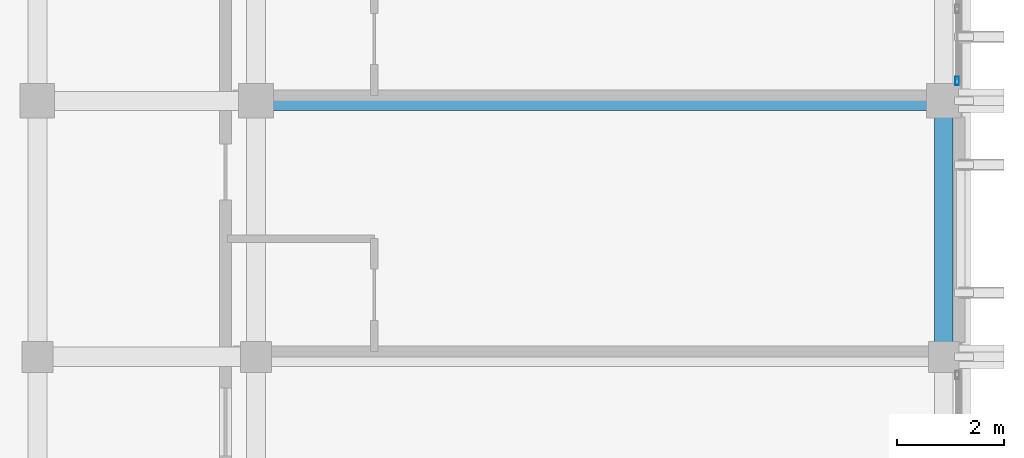
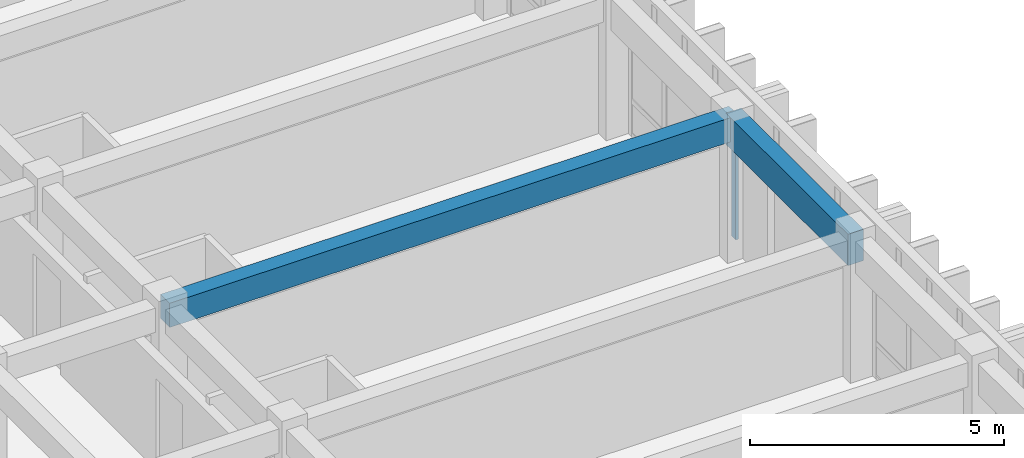
# One storey, part 17 of 49: 2 beams, 1 member, 1 element without a shape of its own.
"""IFC4 building model written with IfcOpenShell, lengths in metres."""

from ifc_helpers import new_model, si_unit, direction, frame, origin, origin_2d, place, context, subcontext, project, spatial, rectangle, hollow_rectangle, extrude, material, layer, layer_set, material_profile, profile_set, type_object, element, aggregate, save


model = new_model("IFC4")

# Units and contexts
model_context = context("Model", 3, precision=1e-05, world=origin(), true_north=direction((0.0, 1.0)))
body_context = subcontext(model_context, "Body", "Model", "MODEL_VIEW")
ifc_project = project(units=[si_unit("LENGTHUNIT", "METRE"), si_unit("AREAUNIT", "SQUARE_METRE"), si_unit("VOLUMEUNIT", "CUBIC_METRE"), si_unit("PLANEANGLEUNIT", "RADIAN"), si_unit("MASSUNIT", "GRAM", prefix="KILO")], contexts=[model_context])

# Site, building, storey
site_placement = place(None, origin())
site = spatial("IfcSite", under=ifc_project, at=site_placement, CompositionType="ELEMENT")
building_placement = place(site_placement, origin())
building = spatial("IfcBuilding", under=site, at=building_placement, Name="Nakhvara Creek Congress Hotel", CompositionType="ELEMENT")
storey_placement = place(building_placement, frame((0.0, 0.0, 39.0)))
storey = spatial("IfcBuildingStorey", under=building, at=storey_placement, Name="L09", CompositionType="ELEMENT", Elevation=39.0)

# Beams
ifc_material_1 = material(Name="Concrete C40/50", Category="concrete")
ifc_material_profile_1 = material_profile(ifc_material_1, rectangle(XDim=0.360107421875, YDim=0.580078125, at=origin_2d()), Name="RC-BM 360x580", Category="LoadBearing")
ifc_profile_set_1 = profile_set([ifc_material_profile_1], Name="Concrete C40/50")
beam_type_1 = type_object("IfcBeamType", Name="BM-RC-360X580", PredefinedType="BEAM", material=ifc_profile_set_1)
beam_1_placement = place(storey_placement, frame((166.449951171875, 86.39990234375, 3.070068359375), z_axis=(1.0, 0.0, 0.0), x_axis=(0.0, 1.0, 0.0)))
element("IfcBeam", 1, at=beam_1_placement, inside=storey, type_object=beam_type_1, Name="Beam B09-L09-2583", PredefinedType="BEAM", context=body_context, shape_type="SweptSolid", body=[
    extrude(rectangle(XDim=0.360107421875, YDim=0.580078125, at=origin_2d()), origin(), (0.0, 0.0, 1.0), 12.900146484375),
])
ifc_material_profile_2 = material_profile(ifc_material_1, rectangle(XDim=0.35009765625, YDim=0.75, at=origin_2d()), Name="RC-SPANDREL 350x750", Category="LoadBearing")
ifc_profile_set_2 = profile_set([ifc_material_profile_2], Name="Concrete C40/50")
beam_type_2 = type_object("IfcBeamType", Name="BM-SPN-350X750", PredefinedType="SPANDREL", material=ifc_profile_set_2)
beam_2_placement = place(storey_placement, frame((179.35009765625, 81.60009765625, 2.985107421875), z_axis=(0.0, 1.0, 0.0), x_axis=(-1.0, 0.0, 0.0)))
element("IfcBeam", 2, at=beam_2_placement, inside=storey, type_object=beam_type_2, Name="Beam SP1-L09-2602", PredefinedType="SPANDREL", context=body_context, shape_type="SweptSolid", body=[
    extrude(rectangle(XDim=0.35009765625, YDim=0.75, at=origin_2d()), origin(), (0.0, 0.0, 1.0), 4.7998046875),
])

# Curtain wall, member
ifc_material_2 = material(Name="Bronze-anodised aluminium AW-6063-T6 and double-silver low-E glass", Category="aluminium")
ifc_layer = layer(ifc_material_2, 0.199951171875)
ifc_layer_set = layer_set([ifc_layer], Name="Bronze-anodised aluminium AW-6063-T6 and double-silver low-E glass")
curtain_wall_type = type_object("IfcCurtainWallType", Name="CW-HTL-UNIT", PredefinedType="USERDEFINED", material=ifc_layer_set)
curtain_wall_placement = place(storey_placement, origin())
curtain_wall = element("IfcCurtainWall", 3, at=curtain_wall_placement, inside=storey, type_object=curtain_wall_type, Name="Curtain Wall CW303", ObjectType="UNITISED", PredefinedType="USERDEFINED")
ifc_material_3 = material(Name="Bronze-anodised aluminium AW-6063-T6", Category="aluminium")
ifc_material_profile_3 = material_profile(ifc_material_3, hollow_rectangle(XDim=0.06494140625, YDim=0.159912109375, WallThickness=0.00390625, at=origin_2d()), Name="ALU-MULL 65x160x4", Category="LoadBearing")
ifc_profile_set_3 = profile_set([ifc_material_profile_3], Name="Bronze-anodised aluminium AW-6063-T6")
member_type = type_object("IfcMemberType", Name="CW-MULL-160", PredefinedType="MULLION", material=ifc_profile_set_3)
member_placement = place(storey_placement, frame((179.60009765625, 86.7724609375, 0.0), z_axis=(0.0, 0.0, 1.0), x_axis=(1.0, 0.0, 0.0)))
member = element("IfcMember", 4, at=member_placement, type_object=member_type, Name="CW303 mullion 4", PredefinedType="MULLION", context=body_context, shape_type="SweptSolid", body=[
    extrude(hollow_rectangle(XDim=0.06494140625, YDim=0.159912109375, WallThickness=0.00390625, at=origin_2d()), origin(), (0.0, 0.0, 1.0), 2.60205078125),
])
aggregate(curtain_wall, [member])

save(model, "model.ifc")
